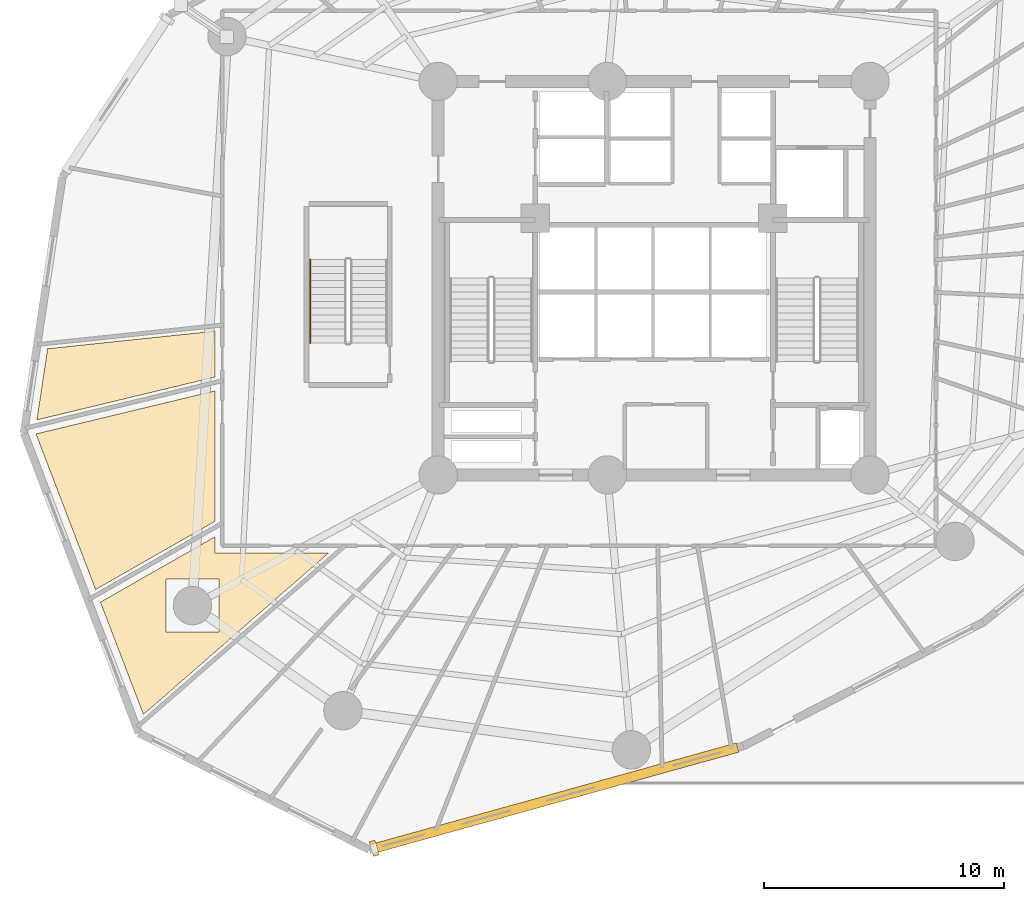
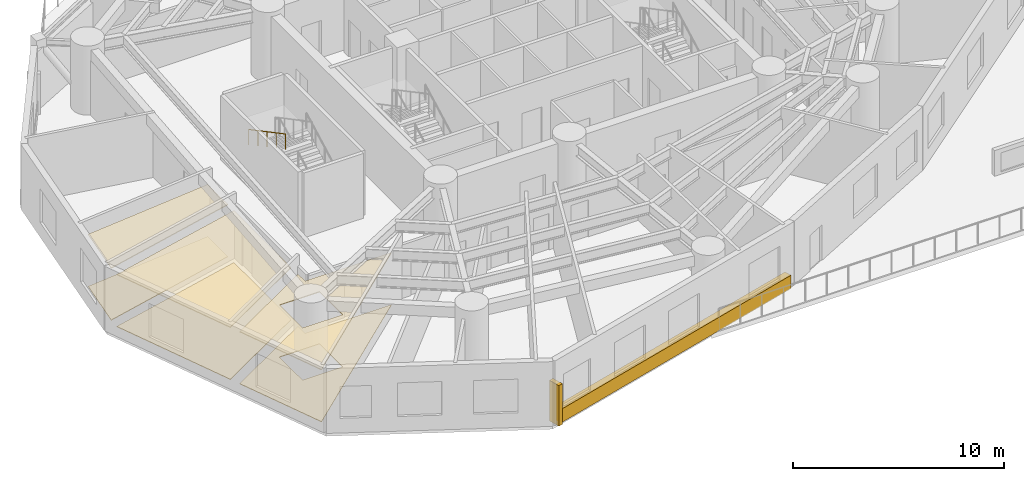
# One storey, part 13 of 16: 7 coverings, 1 railing, 1 shading device.
"""IFC4 building model written with IfcOpenShell, lengths in metres."""

from ifc_helpers import new_model, si_unit, direction, frame, origin, origin_with_axes, origin_2d, place, context, subcontext, project, spatial, polyline, rectangle, circle, outline, extrude, source, transform, mapped, material, layer, layer_set, type_object, element, save


model = new_model("IFC4")

# Units and contexts
model_context = context("Model", 3, precision=1e-05, world=origin(), true_north=direction((0.0, 1.0)))
body_context = subcontext(model_context, "Body", "Model", "MODEL_VIEW")
ifc_project = project(units=[si_unit("LENGTHUNIT", "METRE"), si_unit("AREAUNIT", "SQUARE_METRE"), si_unit("VOLUMEUNIT", "CUBIC_METRE"), si_unit("PLANEANGLEUNIT", "RADIAN"), si_unit("MASSUNIT", "GRAM", prefix="KILO")], contexts=[model_context])

# Site, building, storey
site_placement = place(None, origin())
site = spatial("IfcSite", under=ifc_project, at=site_placement, CompositionType="ELEMENT")
building_placement = place(site_placement, origin())
building = spatial("IfcBuilding", under=site, at=building_placement, Name="Karkom Vertical University and Central Library", CompositionType="ELEMENT")
storey_placement = place(building_placement, frame((0.0, 0.0, 22.5)))
storey = spatial("IfcBuildingStorey", under=building, at=storey_placement, Name="L05", CompositionType="ELEMENT", Elevation=22.5)

# Coverings
ifc_material_1 = material(Name="Perforated mineral-fibre & timber-slat acoustic ceiling", Category="wood")
ifc_layer_1 = layer(ifc_material_1, 0.044921875)
ifc_layer_set_1 = layer_set([ifc_layer_1], Name="Perforated mineral-fibre & timber-slat acoustic ceiling")
covering_type_1 = type_object("IfcCoveringType", Name="INT-COV-CEIL", PredefinedType="CEILING", material=ifc_layer_set_1)
covering_1_placement = place(storey_placement, frame((0.0, 0.0, 3.0048828125)))
element("IfcCovering", 1, at=covering_1_placement, inside=storey, type_object=covering_type_1, Name="Level 05 Suspended Acoustic Ceiling Level 05-01", PredefinedType="CEILING", context=body_context, shape_type="SweptSolid", body=[
    extrude(outline(polyline([(3.22216796875, 23.560791015625), (10.199951171875, 24.29443359375), (10.199951171875, 22.381591796875), (2.775390625, 20.593994140625), (3.22216796875, 23.560791015625)])), origin(), (0.0, 0.0, 1.0), 0.045166015625),
])
covering_2_placement = place(storey_placement, frame((0.0, 0.0, 3.0048828125)))
element("IfcCovering", 2, at=covering_2_placement, inside=storey, type_object=covering_type_1, Name="Level 05 Suspended Acoustic Ceiling Level 05-02", PredefinedType="CEILING", context=body_context, shape_type="SweptSolid", body=[
    extrude(outline(polyline([(2.73681640625, 20.0087890625), (10.199951171875, 21.8056640625), (10.199951171875, 16.36962890625), (5.219970703125, 13.525146484375), (2.73681640625, 20.0087890625)])), origin(), (0.0, 0.0, 1.0), 0.045166015625),
])
covering_3_placement = place(storey_placement, frame((0.0, 0.0, 3.0048828125)))
element("IfcCovering", 3, at=covering_3_placement, inside=storey, type_object=covering_type_1, Name="Level 05 Suspended Acoustic Ceiling Level 05-03", PredefinedType="CEILING", context=body_context, shape_type="SweptSolid", body=[
    extrude(outline(polyline([(14.93701171875, 15.050048828125), (7.214111328125, 8.31884765625), (5.422607421875, 12.99609375), (10.199951171875, 15.724853515625), (10.199951171875, 15.050048828125), (14.93701171875, 15.050048828125)]), holes=[polyline([(8.157958984375, 13.9541015625), (8.157958984375, 11.75390625), (10.35791015625, 11.75390625), (10.35791015625, 13.9541015625), (8.157958984375, 13.9541015625)])]), origin(), (0.0, 0.0, 1.0), 0.045166015625),
])
ifc_material_2 = material(Name="Honed Kota limestone & terrazzo flooring", Category="masonry")
ifc_layer_2 = layer(ifc_material_2, 0.030029296875)
ifc_layer_set_2 = layer_set([ifc_layer_2], Name="Honed Kota limestone & terrazzo flooring")
covering_type_2 = type_object("IfcCoveringType", Name="INT-COV-FLOOR", PredefinedType="FLOORING", material=ifc_layer_set_2)
covering_4_placement = place(storey_placement, origin())
element("IfcCovering", 4, at=covering_4_placement, inside=storey, type_object=covering_type_2, Name="Level 05 Kota Stone Floor Finish Level 05-01", PredefinedType="FLOORING", context=body_context, shape_type="SweptSolid", body=[
    extrude(outline(polyline([(3.22216796875, 23.560791015625), (10.199951171875, 24.29443359375), (10.199951171875, 22.381591796875), (2.775390625, 20.593994140625), (3.22216796875, 23.560791015625)])), origin(), (0.0, 0.0, 1.0), 0.030029296875),
])
covering_5_placement = place(storey_placement, origin())
element("IfcCovering", 5, at=covering_5_placement, inside=storey, type_object=covering_type_2, Name="Level 05 Kota Stone Floor Finish Level 05-02", PredefinedType="FLOORING", context=body_context, shape_type="SweptSolid", body=[
    extrude(outline(polyline([(2.73681640625, 20.0087890625), (10.199951171875, 21.8056640625), (10.199951171875, 16.36962890625), (5.219970703125, 13.525146484375), (2.73681640625, 20.0087890625)])), origin(), (0.0, 0.0, 1.0), 0.030029296875),
])
covering_6_placement = place(storey_placement, origin())
element("IfcCovering", 6, at=covering_6_placement, inside=storey, type_object=covering_type_2, Name="Level 05 Kota Stone Floor Finish Level 05-03", PredefinedType="FLOORING", context=body_context, shape_type="SweptSolid", body=[
    extrude(outline(polyline([(14.93701171875, 15.050048828125), (7.214111328125, 8.31884765625), (5.422607421875, 12.99609375), (10.199951171875, 15.724853515625), (10.199951171875, 15.050048828125), (14.93701171875, 15.050048828125)]), holes=[polyline([(8.157958984375, 13.9541015625), (8.157958984375, 11.75390625), (10.35791015625, 11.75390625), (10.35791015625, 13.9541015625), (8.157958984375, 13.9541015625)])]), origin(), (0.0, 0.0, 1.0), 0.030029296875),
])

# Railing
ifc_material_3 = material(Name="Brushed stainless-steel tubular handrail", Category="steel")
ifc_layer_3 = layer(ifc_material_3, 0.048095703125)
ifc_layer_set_3 = layer_set([ifc_layer_3], Name="Brushed stainless-steel tubular handrail")
railing_type = type_object("IfcRailingType", Name="INT-RL-HAND920", PredefinedType="HANDRAIL", material=ifc_layer_set_3)
railing_placement = place(storey_placement, frame((14.169921875, 27.280029296875, 2.15380859375)))
element("IfcRailing", 7, at=railing_placement, inside=storey, type_object=railing_type, Name="Level 05 ST-3 stair handrail 2", PredefinedType="HANDRAIL", context=body_context, shape_type="SweptSolid", body=[
    extrude(circle(Radius=0.02392578125, at=origin_2d()), frame((0.0, 0.0, 0.8759765625), z_axis=(0.0, -0.883383580571, 0.468650669025), x_axis=(1.0, 0.0, 0.0)), (0.0, 0.0, 1.0), 3.939453125),
    extrude(circle(Radius=0.02099609375, at=origin_2d()), origin(), (0.0, 0.0, 1.0), 0.851806640625),
    extrude(circle(Radius=0.02099609375, at=origin_2d()), frame((0.0, -0.8701171875, 0.46142578125)), (0.0, 0.0, 1.0), 0.851806640625),
    extrude(circle(Radius=0.02099609375, at=origin_2d()), frame((0.0, -1.739990234375, 0.923095703125)), (0.0, 0.0, 1.0), 0.851806640625),
    extrude(circle(Radius=0.02099609375, at=origin_2d()), frame((0.0, -2.60986328125, 1.384765625)), (0.0, 0.0, 1.0), 0.851806640625),
    extrude(circle(Radius=0.02099609375, at=origin_2d()), frame((0.0, -3.47998046875, 1.84619140625)), (0.0, 0.0, 1.0), 0.851806640625),
])

# Shading device
ifc_material_4 = material(Name="Terracotta-clad precast concrete sun-breaker fin C45/55", Category="masonry")
shading_device_type = type_object("IfcShadingDeviceType", Name="ENV-SHD-BRISE", PredefinedType="USERDEFINED", material=ifc_material_4)
shared_shape_1 = source(origin_with_axes(), body_context, "Body", "SweptSolid", [
    extrude(rectangle(XDim=0.239990234375, YDim=0.639892578125, at=origin_2d()), origin(), (0.0, 0.0, 1.0), 2.35009765625),
])
shading_device_placement = place(storey_placement, frame((16.834228515625, 2.73486328125, 0.0), z_axis=(0.0, 0.0, 1.0), x_axis=(0.963583796636, 0.267406557249, 0.0)))
element("IfcShadingDevice", 8, at=shading_device_placement, inside=storey, type_object=shading_device_type, Name="Level 05 Brutalist Brise-Soleil Fin 05", ObjectType="BRISE SOLEIL", PredefinedType="USERDEFINED", context=body_context, shape_type="MappedRepresentation", body=[
    mapped(shared_shape_1, transform((0.0, 0.0, 0.0), scale=1.0)),
])

# Covering
ifc_material_5 = material(Name="Hand-pressed red-ochre terracotta brick slip cladding", Category="masonry")
ifc_layer_4 = layer(ifc_material_5, 0.090087890625)
ifc_layer_set_4 = layer_set([ifc_layer_4], Name="Hand-pressed red-ochre terracotta brick slip cladding")
covering_type_3 = type_object("IfcCoveringType", Name="ENV-COV-CLAD", PredefinedType="CLADDING", material=ifc_layer_set_4)
shared_shape_2 = source(origin_with_axes(), body_context, "Body", "SweptSolid", [
    extrude(rectangle(XDim=15.68798828125, YDim=0.39990234375, at=origin_2d()), origin(), (0.0, 0.0, 1.0), 0.780029296875),
])
covering_7_placement = place(storey_placement, frame((24.42138671875, 4.83984375, 0.0), z_axis=(0.0, 0.0, 1.0), x_axis=(0.963583796636, 0.267406557249, 0.0)))
element("IfcCovering", 9, at=covering_7_placement, inside=storey, type_object=covering_type_3, Name="Level 05 Terracotta Spandrel Cladding 05", PredefinedType="CLADDING", context=body_context, shape_type="MappedRepresentation", body=[
    mapped(shared_shape_2, transform((0.0, 0.0, 0.0), scale=1.0)),
])

save(model, "model.ifc")
